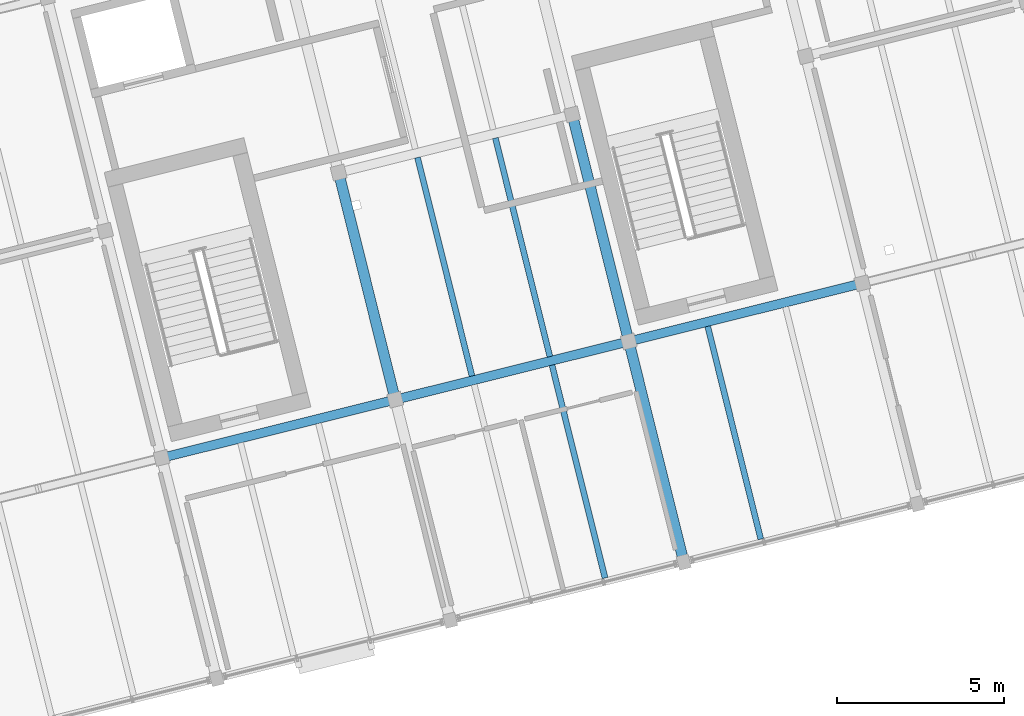
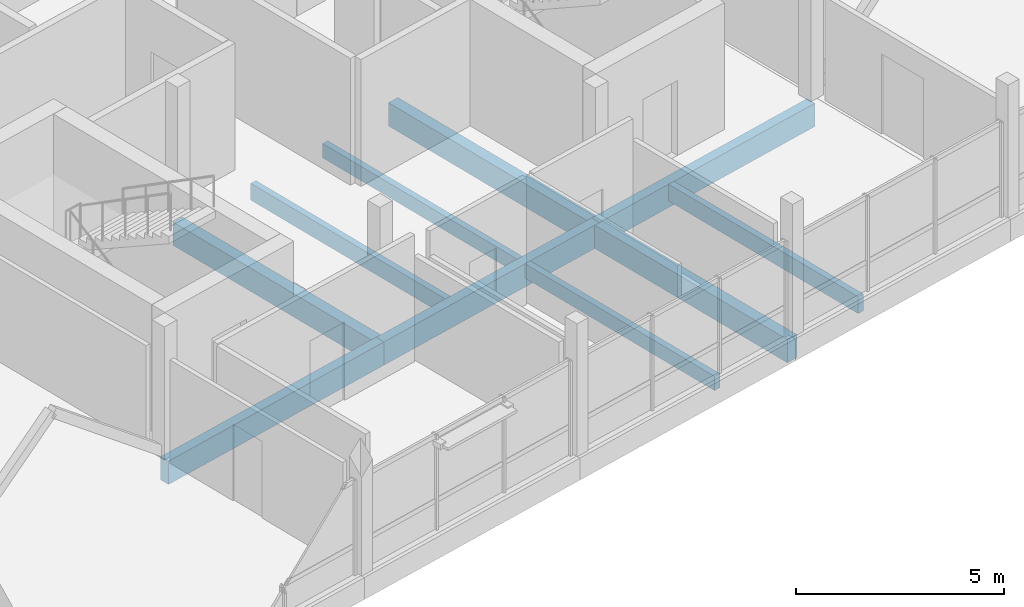
# One storey, part 6 of 27: 10 beams.
"""IFC4 building model written with IfcOpenShell, lengths in metres."""

from ifc_helpers import new_model, si_unit, direction, frame, origin, origin_2d, place, context, subcontext, project, spatial, rectangle, extrude, material, material_profile, profile_set, type_object, element, save


model = new_model("IFC4")

# Units and contexts
model_context = context("Model", 3, precision=1e-05, world=origin(), true_north=direction((0.0, 1.0)))
body_context = subcontext(model_context, "Body", "Model", "MODEL_VIEW")
ifc_project = project(units=[si_unit("LENGTHUNIT", "METRE"), si_unit("AREAUNIT", "SQUARE_METRE"), si_unit("VOLUMEUNIT", "CUBIC_METRE"), si_unit("PLANEANGLEUNIT", "RADIAN"), si_unit("MASSUNIT", "GRAM", prefix="KILO")], contexts=[model_context])

# Site, building, storey
site_placement = place(None, origin())
site = spatial("IfcSite", under=ifc_project, at=site_placement, CompositionType="ELEMENT")
building_placement = place(site_placement, origin())
building = spatial("IfcBuilding", under=site, at=building_placement, Name="Meriwether Solvik Hall", CompositionType="ELEMENT")
storey_placement = place(building_placement, frame((0.0, 0.0, 33.89990234375)))
storey = spatial("IfcBuildingStorey", under=building, at=storey_placement, Name="L08", CompositionType="ELEMENT", Elevation=33.89990234375)

# Beams
ifc_material_1 = material(Name="Glulam Douglas-Fir 24F-V8 GL28h", Category="wood")
ifc_material_profile_1 = material_profile(ifc_material_1, rectangle(XDim=0.27294921875, YDim=0.68505859375, at=origin_2d()), Name="GLB-273X685")
ifc_profile_set_1 = profile_set([ifc_material_profile_1], Name="Glulam Douglas-Fir 24F-V8 GL28h")
beam_type_1 = type_object("IfcBeamType", Name="BM-GL-273X685", PredefinedType="BEAM", material=ifc_profile_set_1)
beam_1_placement = place(storey_placement, frame((74.3291015625, 49.63671875, -0.5224609375), z_axis=(0.970301855688, 0.241897310542, 0.0), x_axis=(-0.241897310542, 0.970301855688, 0.0)))
element("IfcBeam", 1, at=beam_1_placement, inside=storey, type_object=beam_type_1, Name="Tower Girder TB:T2-T3 (L08)", PredefinedType="BEAM", context=body_context, shape_type="SweptSolid", body=[
    extrude(rectangle(XDim=0.27294921875, YDim=0.68505859375, at=origin_2d()), origin(), (0.0, 0.0, 1.0), 7.2001953125),
])
for number, where, z_axis, x_axis, name in (
    (2, (81.3154296875, 51.37841796875, -0.5224609375), (0.970291911955, 0.241937193493, 0.0), (-0.241937193493, 0.970291911955, 0.0), "Tower Girder TB:T3-T4 (L08)"),
    (3, (88.301513671875, 53.120361328125, -0.5224609375), (0.970299871507, 0.241905269381, 0.0), (-0.241905269381, 0.970299871507, 0.0), "Tower Girder TB:T4-T5 (L08)"),
):
    element("IfcBeam", number, at=place(storey_placement, frame(where, z_axis=z_axis, x_axis=x_axis)), inside=storey, type_object=beam_type_1, Name=name, PredefinedType="BEAM", context=body_context, shape_type="SweptSolid", body=[
        extrude(rectangle(XDim=0.27294921875, YDim=0.68505859375, at=origin_2d()), origin(), (0.0, 0.0, 1.0), 7.199951171875),
    ])
ifc_material_2 = material(Name="Glulam Douglas-Fir 24F-V8 GL28h", Category="wood")
ifc_material_profile_2 = material_profile(ifc_material_2, rectangle(XDim=0.31494140625, YDim=0.68505859375, at=origin_2d()), Name="GLB-315X685")
ifc_profile_set_2 = profile_set([ifc_material_profile_2], Name="Glulam Douglas-Fir 24F-V8 GL28h")
beam_type_2 = type_object("IfcBeamType", Name="BM-GL-315X685", PredefinedType="BEAM", material=ifc_profile_set_2)
beam_2_placement = place(storey_placement, frame((81.3154296875, 51.37841796875, -0.5224609375), z_axis=(-0.241944715397, 0.970290036376, 0.0), x_axis=(-0.970290036376, -0.241944715397, 0.0)))
element("IfcBeam", 4, at=beam_2_placement, inside=storey, type_object=beam_type_2, Name="Tower Girder T3:TB-TC (L08)", PredefinedType="BEAM", context=body_context, shape_type="SweptSolid", body=[
    extrude(rectangle(XDim=0.31494140625, YDim=0.68505859375, at=origin_2d()), origin(), (0.0, 0.0, 1.0), 7.0),
])
beam_3_placement = place(storey_placement, frame((89.946533203125, 46.522216796875, -0.5224609375), z_axis=(-0.24191045034, 0.970298579828, 0.0), x_axis=(-0.970298579828, -0.24191045034, 0.0)))
element("IfcBeam", 5, at=beam_3_placement, inside=storey, type_object=beam_type_2, Name="Tower Girder T4:TA-TB (L08)", PredefinedType="BEAM", context=body_context, shape_type="SweptSolid", body=[
    extrude(rectangle(XDim=0.31494140625, YDim=0.68505859375, at=origin_2d()), origin(), (0.0, 0.0, 1.0), 6.800048828125),
])
beam_4_placement = place(storey_placement, frame((88.301513671875, 53.120361328125, -0.5224609375), z_axis=(-0.241944715397, 0.970290036376, 0.0), x_axis=(-0.970290036376, -0.241944715397, 0.0)))
element("IfcBeam", 6, at=beam_4_placement, inside=storey, type_object=beam_type_2, Name="Tower Girder T4:TB-TC (L08)", PredefinedType="BEAM", context=body_context, shape_type="SweptSolid", body=[
    extrude(rectangle(XDim=0.31494140625, YDim=0.68505859375, at=origin_2d()), origin(), (0.0, 0.0, 1.0), 7.0),
])
ifc_material_3 = material(Name="Glulam Douglas-Fir 24F-V8 GL28h", Category="wood")
ifc_material_profile_3 = material_profile(ifc_material_3, rectangle(XDim=0.175048828125, YDim=0.419921875, at=origin_2d()), Name="GLJ-175X420")
ifc_profile_set_3 = profile_set([ifc_material_profile_3], Name="Glulam Douglas-Fir 24F-V8 GL28h")
beam_type_3 = type_object("IfcBeamType", Name="JST-GL-175X420", PredefinedType="JOIST", material=ifc_profile_set_3)
beam_5_placement = place(storey_placement, frame((87.592041015625, 46.04443359375, -0.389892578125), z_axis=(-0.241887817396, 0.970304222291, 0.0), x_axis=(-0.970304222291, -0.241887817396, 0.0)))
element("IfcBeam", 7, at=beam_5_placement, inside=storey, type_object=beam_type_3, Name="Glulam Floor Joist T3/TA-J2 (L08)", PredefinedType="JOIST", context=body_context, shape_type="SweptSolid", body=[
    extrude(rectangle(XDim=0.175048828125, YDim=0.419921875, at=origin_2d()), origin(), (0.0, 0.0, 1.0), 6.5625),
])
beam_6_placement = place(storey_placement, frame((85.94091796875, 52.667236328125, -0.389892578125), z_axis=(-0.241930176813, 0.9702936615, 0.0), x_axis=(-0.9702936615, -0.241930176813, 0.0)))
element("IfcBeam", 8, at=beam_6_placement, inside=storey, type_object=beam_type_3, Name="Glulam Floor Joist T3/TB-J2 (L08)", PredefinedType="JOIST", context=body_context, shape_type="SweptSolid", body=[
    extrude(rectangle(XDim=0.175048828125, YDim=0.419921875, at=origin_2d()), origin(), (0.0, 0.0, 1.0), 6.737060546875),
])
ifc_material_4 = material(Name="Glulam Douglas-Fir 24F-V8 GL28h", Category="wood")
ifc_material_profile_4 = material_profile(ifc_material_4, rectangle(XDim=0.175048828125, YDim=0.4951171875, at=origin_2d()), Name="GLJ-175X495")
ifc_profile_set_4 = profile_set([ifc_material_profile_4], Name="Glulam Douglas-Fir 24F-V8 GL28h")
beam_type_4 = type_object("IfcBeamType", Name="JST-GL-175X495", PredefinedType="JOIST", material=ifc_profile_set_4)
beam_7_placement = place(storey_placement, frame((83.6123046875, 52.086669921875, -0.427490234375), z_axis=(-0.241930176813, 0.9702936615, 0.0), x_axis=(-0.9702936615, -0.241930176813, 0.0)))
element("IfcBeam", 9, at=beam_7_placement, inside=storey, type_object=beam_type_4, Name="Glulam Floor Joist T3/TB-J1 (L08)", PredefinedType="JOIST", context=body_context, shape_type="SweptSolid", body=[
    extrude(rectangle(XDim=0.175048828125, YDim=0.4951171875, at=origin_2d()), origin(), (0.0, 0.0, 1.0), 6.737060546875),
])
beam_8_placement = place(storey_placement, frame((92.24951171875, 47.205810546875, -0.427490234375), z_axis=(-0.241931575219, 0.970293312824, 0.0), x_axis=(-0.970293312824, -0.241931575219, 0.0)))
element("IfcBeam", 10, at=beam_8_placement, inside=storey, type_object=beam_type_4, Name="Glulam Floor Joist T4/TA-J1 (L08)", PredefinedType="JOIST", context=body_context, shape_type="SweptSolid", body=[
    extrude(rectangle(XDim=0.175048828125, YDim=0.4951171875, at=origin_2d()), origin(), (0.0, 0.0, 1.0), 6.5625),
])

save(model, "model.ifc")
